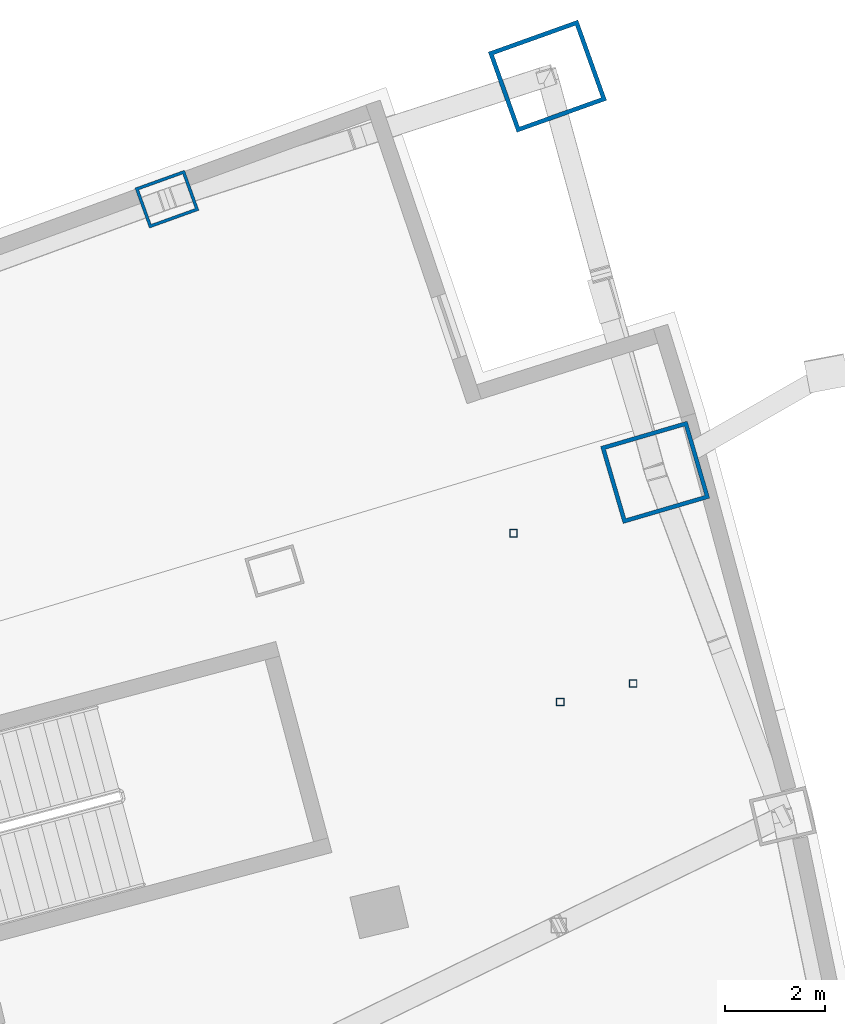
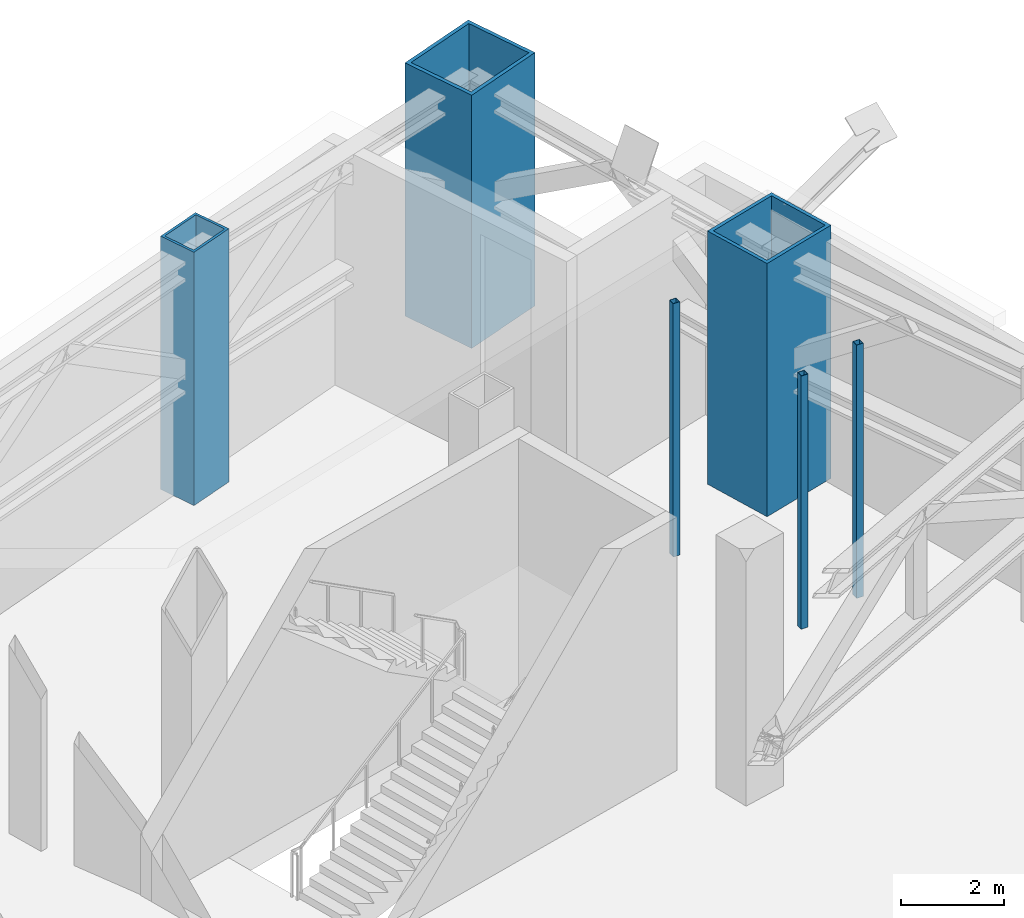
# One storey, part 8 of 26: 6 columns.
"""IFC4 building model written with IfcOpenShell, lengths in metres."""

from ifc_helpers import new_model, si_unit, direction, frame, origin, origin_2d, place, context, subcontext, project, spatial, hollow_rectangle, extrude, material, material_profile, profile_set, type_object, element, save


model = new_model("IFC4")

# Units and contexts
model_context = context("Model", 3, precision=1e-05, world=origin(), true_north=direction((0.0, 1.0)))
body_context = subcontext(model_context, "Body", "Model", "MODEL_VIEW")
ifc_project = project(units=[si_unit("LENGTHUNIT", "METRE"), si_unit("AREAUNIT", "SQUARE_METRE"), si_unit("VOLUMEUNIT", "CUBIC_METRE"), si_unit("PLANEANGLEUNIT", "RADIAN"), si_unit("MASSUNIT", "GRAM", prefix="KILO")], contexts=[model_context])

# Site, building, storey
site_placement = place(None, origin())
site = spatial("IfcSite", under=ifc_project, at=site_placement, CompositionType="ELEMENT")
building_placement = place(site_placement, origin())
building = spatial("IfcBuilding", under=site, at=building_placement, Name="Alderwake Tower", CompositionType="ELEMENT")
storey_placement = place(building_placement, frame((0.0, 0.0, 132.800048828125)))
storey = spatial("IfcBuildingStorey", under=building, at=storey_placement, Name="L32", CompositionType="ELEMENT", Elevation=132.800048828125)

# Columns
ifc_material_1 = material(Name="Steel ASTM A572 Grade 50 concrete filled C70/85", Category="concrete")
ifc_material_profile_1 = material_profile(ifc_material_1, hollow_rectangle(XDim=0.85009765625, YDim=1.050048828125, WallThickness=0.06005859375, at=origin_2d()), Name="BOX 1050X850X60")
ifc_profile_set_1 = profile_set([ifc_material_profile_1], Name="Steel ASTM A572 Grade 50 concrete filled C70/85")
column_type_1 = type_object("IfcColumnType", Name="End column Z2", PredefinedType="COLUMN", material=ifc_profile_set_1)
column_1_placement = place(storey_placement, frame((44.514892578125, 105.812744140625, 0.0), z_axis=(0.0, 0.0, 1.0), x_axis=(-0.338634462954, 0.940918009446, 0.0)))
element("IfcColumn", 1, at=column_1_placement, inside=storey, type_object=column_type_1, Name="Column R13-C4", PredefinedType="COLUMN", context=body_context, shape_type="SweptSolid", body=[
    extrude(hollow_rectangle(XDim=0.85009765625, YDim=1.050048828125, WallThickness=0.06005859375, at=origin_2d()), origin(), (0.0, 0.0, 1.0), 6.0),
])
ifc_material_2 = material(Name="Steel ASTM A500 Grade C", Category="steel")
ifc_material_profile_2 = material_profile(ifc_material_2, hollow_rectangle(XDim=0.15234375, YDim=0.15234375, WallThickness=0.0087890625, at=origin_2d()), Name="HSS6X6X3/8")
ifc_profile_set_2 = profile_set([ifc_material_profile_2], Name="Steel ASTM A500 Grade C")
column_type_2 = type_object("IfcColumnType", Name="Light post HSS6X6X3/8", PredefinedType="COLUMN", material=ifc_profile_set_2)
for number, where, z_axis, x_axis, name in (
    (2, (53.807861328125, 96.159423828125, 0.0), (0.0, 0.0, 1.0), (1.0, 0.0, 0.0), "Terrace post FN1"),
    (3, (51.42431640625, 99.152099609375, 0.0), (0.0, 0.0, 1.0), (1.0, 0.0, 0.0), "Terrace post FN2"),
    (4, (52.353759765625, 95.791259765625, 0.0), (0.0, 0.0, 1.0), (1.0, 0.0, 0.0), "Terrace post FN3"),
):
    element("IfcColumn", number, at=place(storey_placement, frame(where, z_axis=z_axis, x_axis=x_axis)), inside=storey, type_object=column_type_2, Name=name, PredefinedType="COLUMN", context=body_context, shape_type="SweptSolid", body=[
        extrude(hollow_rectangle(XDim=0.15234375, YDim=0.15234375, WallThickness=0.0087890625, at=origin_2d()), origin(), (0.0, 0.0, 1.0), 6.0),
    ])
ifc_material_3 = material(Name="Steel ASTM A572 Grade 50 concrete filled C70/85", Category="concrete")
ifc_material_profile_3 = material_profile(ifc_material_3, hollow_rectangle(XDim=1.699951171875, YDim=1.89990234375, WallThickness=0.0849609375, at=origin_2d()), Name="BOX 1900X1700X85")
ifc_profile_set_3 = profile_set([ifc_material_profile_3], Name="Steel ASTM A572 Grade 50 concrete filled C70/85")
column_type_3 = type_object("IfcColumnType", Name="Mega column Z2", PredefinedType="COLUMN", material=ifc_profile_set_3)
column_2_placement = place(storey_placement, frame((52.09912109375, 108.263916015625, 0.0), z_axis=(0.0, 0.0, 1.0), x_axis=(-0.336878350236, 0.941548180999, 0.0)))
element("IfcColumn", 5, at=column_2_placement, inside=storey, type_object=column_type_3, Name="Column R13-C5", PredefinedType="COLUMN", context=body_context, shape_type="SweptSolid", body=[
    extrude(hollow_rectangle(XDim=1.699951171875, YDim=1.89990234375, WallThickness=0.0849609375, at=origin_2d()), origin(), (0.0, 0.0, 1.0), 6.0),
])
ifc_material_4 = material(Name="Steel ASTM A572 Grade 50 concrete filled C70/85", Category="concrete")
ifc_material_profile_4 = material_profile(ifc_material_4, hollow_rectangle(XDim=1.60009765625, YDim=1.800048828125, WallThickness=0.080078125, at=origin_2d()), Name="BOX 1800X1600X80")
ifc_profile_set_4 = profile_set([ifc_material_profile_4], Name="Steel ASTM A572 Grade 50 concrete filled C70/85")
column_type_4 = type_object("IfcColumnType", Name="Mega column Z3", PredefinedType="COLUMN", material=ifc_profile_set_4)
column_3_placement = place(storey_placement, frame((54.246826171875, 100.3671875, 0.0), z_axis=(0.0, 0.0, 1.0), x_axis=(-0.281395329631, 0.959591928093, 0.0)))
element("IfcColumn", 6, at=column_3_placement, inside=storey, type_object=column_type_4, Name="Column R12-C5", PredefinedType="COLUMN", context=body_context, shape_type="SweptSolid", body=[
    extrude(hollow_rectangle(XDim=1.60009765625, YDim=1.800048828125, WallThickness=0.080078125, at=origin_2d()), origin(), (0.0, 0.0, 1.0), 6.0),
])

save(model, "model.ifc")
